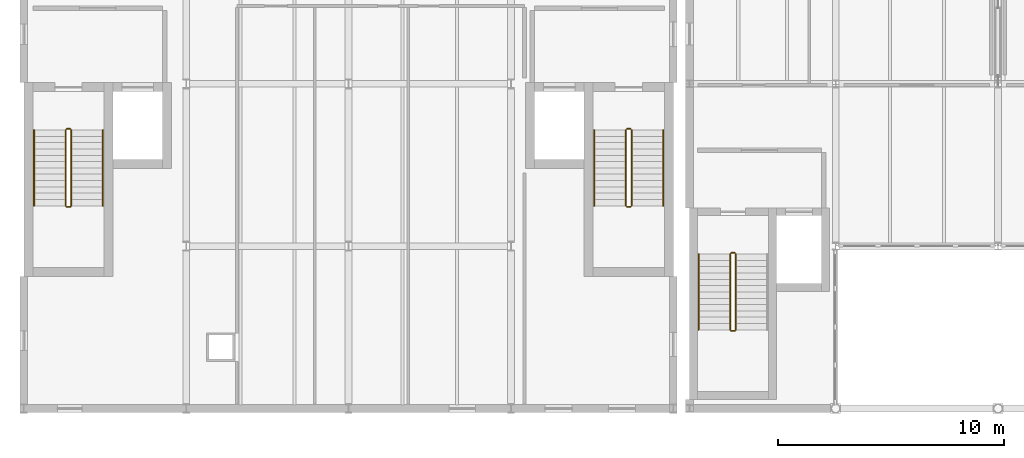
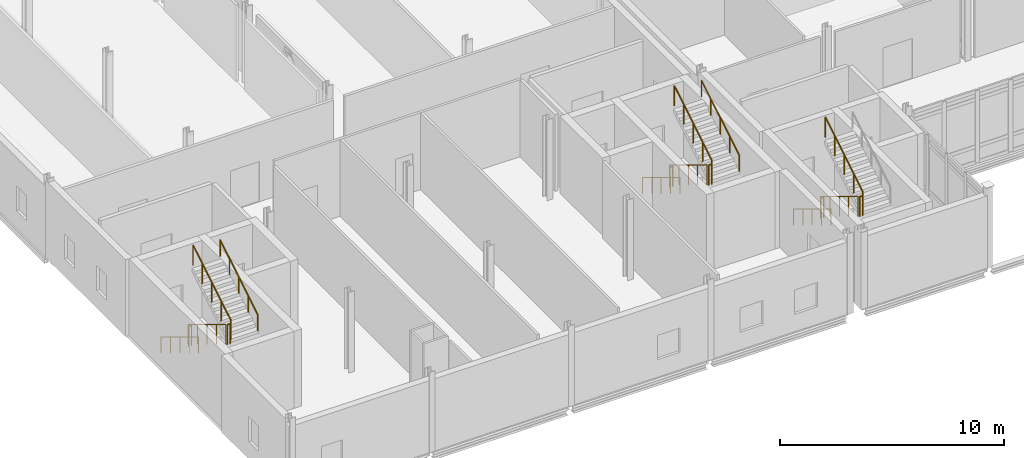
# One storey, part 45 of 53: 17 railings.
"""IFC4 building model written with IfcOpenShell, lengths in metres."""

import ifcopenshell
import ifcopenshell.guid

model = None  # the IFC model being written
_history = None  # IfcOwnerHistory: only IFC2X3 demands one
_inside = {}  # id of a spatial element -> (the spatial element, [elements in it])
_under = {}  # id of a project, library or spatial element -> (it, [spatial elements below it])
_declared = {}  # id of a project -> (the project, [libraries it declares])
_typed = {}  # id of a type object -> (the type object, [elements of that type])
_made_of = {}  # id of a material, layer set ... -> (it, [elements and type objects made of it])


def new_model(schema):
    """Start an empty IFC model of exactly this schema.

    Asked for "IFC4X3", IfcOpenShell would pick the latest addendum, in which some entities
    have other attributes; the version numbers below select the first issue.
    IFC2X3 requires an IfcOwnerHistory on every rooted entity: one is made here for all.
    """
    global model, _history
    if schema == "IFC4X3":
        model = ifcopenshell.file(schema_version=(4, 3, 0, 0))
    else:
        model = ifcopenshell.file(schema=schema)
    _inside.clear()
    _under.clear()
    _declared.clear()
    _typed.clear()
    _made_of.clear()
    _history = None
    if model.schema == "IFC2X3":
        org = make("IfcOrganization", Name="unknown")
        user = make(
            "IfcPersonAndOrganization",
            ThePerson=make("IfcPerson", FamilyName="unknown"),
            TheOrganization=org,
        )
        app = make(
            "IfcApplication",
            ApplicationDeveloper=org,
            Version="unknown",
            ApplicationFullName="unknown",
            ApplicationIdentifier="unknown",
        )
        _history = make(
            "IfcOwnerHistory",
            OwningUser=user,
            OwningApplication=app,
            ChangeAction="ADDED",
            CreationDate=0,
        )
    return model


def make(cls, **values):
    """One entity of the class cls with the attributes given. An attribute that is None is left unset."""
    return model.create_entity(
        cls, **{name: value for name, value in values.items() if value is not None}
    )


def rooted(cls, **values):
    """An entity with a GlobalId (a new one), such as an element, a storey or a relation."""
    return make(cls, GlobalId=ifcopenshell.guid.new(), OwnerHistory=_history, **values)


def si_unit(unit_type, name, prefix=None):
    """IfcSIUnit, for example si_unit("LENGTHUNIT", "METRE", prefix="MILLI")."""
    return make("IfcSIUnit", UnitType=unit_type, Prefix=prefix, Name=name)


def assignment(units):
    """IfcUnitAssignment: the units of a project."""
    return None if units is None else make("IfcUnitAssignment", Units=units)


def point(xyz):
    """IfcCartesianPoint."""
    return None if xyz is None else make("IfcCartesianPoint", Coordinates=xyz)


def direction(xyz):
    """IfcDirection."""
    return None if xyz is None else make("IfcDirection", DirectionRatios=xyz)


def frame(location, z_axis=None, x_axis=None):
    """IfcAxis2Placement3D, a coordinate frame: its origin and axes. An axis left out is left unset."""
    return make(
        "IfcAxis2Placement3D",
        Location=point(location),
        Axis=direction(z_axis),
        RefDirection=direction(x_axis),
    )


def frame_2d(location, x_axis=None):
    """IfcAxis2Placement2D, a coordinate frame in the plane: its origin and x axis."""
    return make(
        "IfcAxis2Placement2D", Location=point(location), RefDirection=direction(x_axis)
    )


def origin():
    """The frame at (0, 0, 0) with its axes left unset."""
    return frame((0.0, 0.0, 0.0))


def origin_2d():
    """The frame at (0, 0) in the plane with its x axis left unset."""
    return frame_2d((0.0, 0.0))


def place(relative_to, where):
    """IfcLocalPlacement: puts the frame where relative to a parent placement (None: the world)."""
    return make(
        "IfcLocalPlacement", PlacementRelTo=relative_to, RelativePlacement=where
    )


def context(
    kind, dimensions, precision=None, world=None, true_north=None, identifier=None
):
    """IfcGeometricRepresentationContext, for example the 3D "Model" context."""
    return make(
        "IfcGeometricRepresentationContext",
        ContextIdentifier=identifier,
        ContextType=kind,
        CoordinateSpaceDimension=dimensions,
        Precision=precision,
        WorldCoordinateSystem=world,
        TrueNorth=true_north,
    )


def subcontext(parent, identifier, kind, view, scale=None):
    """IfcGeometricRepresentationSubContext, for example "Body" below "Model"."""
    return make(
        "IfcGeometricRepresentationSubContext",
        ContextIdentifier=identifier,
        ContextType=kind,
        ParentContext=parent,
        TargetScale=scale,
        TargetView=view,
    )


def project(units=None, contexts=None):
    """IfcProject with its units and contexts."""
    return rooted(
        "IfcProject",
        Name="project",
        RepresentationContexts=contexts,
        UnitsInContext=assignment(units),
    )


def spatial(cls, under=None, at=None, **own):
    """A site, building, storey or space (cls), placed at a placement, below another one or the project."""
    s = rooted(cls, ObjectPlacement=at, **own)
    if under is not None:
        _under.setdefault(under.id(), (under, []))[1].append(s)
    return s


def profile(cls, at=None, kind="AREA", **sizes):
    """A parametric profile (cls). Its sizes go by their IFC names, for example OverallWidth=200.0."""
    return make(cls, ProfileType=kind, Position=at, **sizes)


def circle(**sizes):
    """IfcCircleProfileDef."""
    return profile("IfcCircleProfileDef", **sizes)


def extrude(swept, where, along, depth):
    """IfcExtrudedAreaSolid: the profile swept, set in the frame where, extruded along a direction by depth."""
    return make(
        "IfcExtrudedAreaSolid",
        SweptArea=swept,
        Position=where,
        ExtrudedDirection=direction(along),
        Depth=depth,
    )


def shape(context_of_items, identifier, shape_type, items):
    """IfcShapeRepresentation: the items that make up one representation, for example the "Body"."""
    return make(
        "IfcShapeRepresentation",
        ContextOfItems=context_of_items,
        RepresentationIdentifier=identifier,
        RepresentationType=shape_type,
        Items=items,
    )


def material(Name=None, Category=None):
    """IfcMaterial."""
    return make("IfcMaterial", Name=Name, Category=Category)


def layer(
    of_material, thickness, ventilated=None, Name=None, Category=None, Priority=None
):
    """IfcMaterialLayer: one layer of a wall or slab, of a material (None: an air gap)."""
    return make(
        "IfcMaterialLayer",
        Material=of_material,
        LayerThickness=thickness,
        IsVentilated=ventilated,
        Name=Name,
        Category=Category,
        Priority=Priority,
    )


def layer_set(layers, Name=None):
    """IfcMaterialLayerSet."""
    return make("IfcMaterialLayerSet", MaterialLayers=layers, LayerSetName=Name)


def made_of(thing, what):
    """Note that an element or type object is made of a material, layer set ...; save() writes the relation."""
    if what is not None:
        _made_of.setdefault(what.id(), (what, []))[1].append(thing)
    return thing


def type_object(cls, material=None, **own):
    """A type object (cls), such as IfcWallType, which elements share."""
    return made_of(rooted(cls, **own), material)


def element(
    cls,
    number,
    at=None,
    inside=None,
    cuts=None,
    type_object=None,
    material=None,
    context=None,
    identifier="Body",
    shape_type=None,
    held_by="IfcProductDefinitionShape",
    body=None,
    shapes=None,
    **own,
):
    """One element of the class cls, such as IfcWall. Its Tag is "e" and its number.

    at: its placement. inside: the storey or other place that contains it. cuts: it is an
    opening in that element (IfcRelVoidsElement). A single representation is given by context,
    identifier, shape_type and body (its items); several are given by shapes. held_by: the class
    of the entity that holds the representations. save() writes the other relations.
    """
    e = rooted(cls, Tag="e%d" % number, ObjectPlacement=at, **own)
    if body is not None:
        shapes = [shape(context, identifier, shape_type, body)]
    if shapes is not None:
        e.Representation = make(held_by, Representations=shapes)
    if inside is not None:
        _inside.setdefault(inside.id(), (inside, []))[1].append(e)
    if cuts is not None:
        rooted(
            "IfcRelVoidsElement", RelatingBuildingElement=cuts, RelatedOpeningElement=e
        )
    if type_object is not None:
        _typed.setdefault(type_object.id(), (type_object, []))[1].append(e)
    return made_of(e, material)


def aggregate(whole, parts):
    """IfcRelAggregates: a whole, such as a stair, and the parts it consists of."""
    return rooted("IfcRelAggregates", RelatingObject=whole, RelatedObjects=parts)


def save(model, path):
    """Write the relations noted so far, then the file.

    IfcRelAggregates (storeys below a building ...), IfcRelContainedInSpatialStructure (elements
    in a storey), IfcRelDefinesByType, IfcRelAssociatesMaterial and IfcRelDeclares: one each for
    every whole, place, type object, material and project.
    """
    for whole, parts in _under.values():
        aggregate(whole, parts)
    for where, things in _inside.values():
        rooted(
            "IfcRelContainedInSpatialStructure",
            RelatedElements=things,
            RelatingStructure=where,
        )
    for kind, things in _typed.values():
        rooted("IfcRelDefinesByType", RelatedObjects=things, RelatingType=kind)
    for what, things in _made_of.values():
        rooted("IfcRelAssociatesMaterial", RelatedObjects=things, RelatingMaterial=what)
    for by, libraries in _declared.values():
        rooted("IfcRelDeclares", RelatingContext=by, RelatedDefinitions=libraries)
    model.write(path)


model = new_model("IFC4")

# Units and contexts
model_context = context("Model", 3, precision=1e-05, world=origin(), true_north=direction((0.0, 1.0)))
body_context = subcontext(model_context, "Body", "Model", "MODEL_VIEW")
ifc_project = project(units=[si_unit("LENGTHUNIT", "METRE"), si_unit("AREAUNIT", "SQUARE_METRE"), si_unit("VOLUMEUNIT", "CUBIC_METRE"), si_unit("PLANEANGLEUNIT", "RADIAN"), si_unit("MASSUNIT", "GRAM", prefix="KILO")], contexts=[model_context])

# Site, building, storey
site_placement = place(None, origin())
site = spatial("IfcSite", under=ifc_project, at=site_placement, CompositionType="ELEMENT")
building_placement = place(site_placement, origin())
building = spatial("IfcBuilding", under=site, at=building_placement, Name="Zarrinpeak Specialist Clinic", CompositionType="ELEMENT")
storey_placement = place(building_placement, frame((0.0, 0.0, 14.0)))
storey = spatial("IfcBuildingStorey", under=building, at=storey_placement, Name="L03", CompositionType="ELEMENT", Elevation=14.0)

# Railings
ifc_material_1 = material(Name="Laminated Safety Glass and Stainless Steel 316", Category="steel")
ifc_layer_1 = layer(ifc_material_1, 0.06005859375)
ifc_layer_set_1 = layer_set([ifc_layer_1], Name="Laminated Safety Glass and Stainless Steel 316")
railing_type_1 = type_object("IfcRailingType", Name="RL-GRD115", PredefinedType="GUARDRAIL", material=ifc_layer_set_1)
railing_1_placement = place(storey_placement, frame((1.85009765625, 12.35009765625, 0.169189453125)))
element("IfcRailing", 1, at=railing_1_placement, inside=storey, type_object=railing_type_1, Name="L03 ST-01 stair guard 1", PredefinedType="GUARDRAIL", context=body_context, shape_type="SweptSolid", body=[
    extrude(circle(Radius=0.02392578125, at=origin_2d()), frame((0.0, 0.0, 1.076171875), z_axis=(0.0, -0.855836976705, 0.517245656632), x_axis=(1.0, 0.0, 0.0)), (0.0, 0.0, 1.0), 3.926025390625),
    extrude(circle(Radius=0.02099609375, at=origin_2d()), origin(), (0.0, 0.0, 1.0), 1.052001953125),
    extrude(circle(Radius=0.02099609375, at=origin_2d()), frame((0.0, -0.840087890625, 0.5078125)), (0.0, 0.0, 1.0), 1.052001953125),
    extrude(circle(Radius=0.02099609375, at=origin_2d()), frame((0.0, -1.68017578125, 1.015380859375)), (0.0, 0.0, 1.0), 1.052001953125),
    extrude(circle(Radius=0.02099609375, at=origin_2d()), frame((0.0, -2.52001953125, 1.52294921875)), (0.0, 0.0, 1.0), 1.052001953125),
    extrude(circle(Radius=0.02099609375, at=origin_2d()), frame((0.0, -3.360107421875, 2.03076171875)), (0.0, 0.0, 1.0), 1.052001953125),
])
railing_2_placement = place(storey_placement, frame((1.89990234375, 8.93994140625, 2.199951171875)))
element("IfcRailing", 2, at=railing_2_placement, inside=storey, type_object=railing_type_1, Name="L03 ST-01 stair guard 2", PredefinedType="GUARDRAIL", context=body_context, shape_type="SweptSolid", body=[
    extrude(circle(Radius=0.02392578125, at=origin_2d()), frame((0.0, 0.0, 1.076171875), z_axis=(1.0, 0.0, 0.0), x_axis=(0.0, 1.0, 0.0)), (0.0, 0.0, 1.0), 0.150146484375),
    extrude(circle(Radius=0.02099609375, at=origin_2d()), origin(), (0.0, 0.0, 1.0), 1.052001953125),
    extrude(circle(Radius=0.02099609375, at=origin_2d()), frame((0.150146484375, 0.0, 0.0)), (0.0, 0.0, 1.0), 1.052001953125),
])
railing_3_placement = place(storey_placement, frame((2.10009765625, 8.989990234375, 2.369140625)))
element("IfcRailing", 3, at=railing_3_placement, inside=storey, type_object=railing_type_1, Name="L03 ST-01 stair guard 3", PredefinedType="GUARDRAIL", context=body_context, shape_type="SweptSolid", body=[
    extrude(circle(Radius=0.02392578125, at=origin_2d()), frame((0.0, 0.0, 1.076171875), z_axis=(0.0, 0.855836976705, 0.517245656632), x_axis=(-1.0, 0.0, 0.0)), (0.0, 0.0, 1.0), 3.926025390625),
    extrude(circle(Radius=0.02099609375, at=origin_2d()), origin(), (0.0, 0.0, 1.0), 1.052001953125),
    extrude(circle(Radius=0.02099609375, at=origin_2d()), frame((0.0, 0.840087890625, 0.5078125)), (0.0, 0.0, 1.0), 1.052001953125),
    extrude(circle(Radius=0.02099609375, at=origin_2d()), frame((0.0, 1.68017578125, 1.015380859375)), (0.0, 0.0, 1.0), 1.052001953125),
    extrude(circle(Radius=0.02099609375, at=origin_2d()), frame((0.0, 2.52001953125, 1.52294921875)), (0.0, 0.0, 1.0), 1.052001953125),
    extrude(circle(Radius=0.02099609375, at=origin_2d()), frame((0.0, 3.360107421875, 2.03076171875)), (0.0, 0.0, 1.0), 1.052001953125),
])
railing_4_placement = place(storey_placement, frame((1.89990234375, 12.39990234375, 0.0)))
element("IfcRailing", 4, at=railing_4_placement, inside=storey, type_object=railing_type_1, Name="L03 ST-01 stair guard 4", PredefinedType="GUARDRAIL", context=body_context, shape_type="SweptSolid", body=[
    extrude(circle(Radius=0.02392578125, at=origin_2d()), frame((0.0, 0.0, 1.076171875), z_axis=(1.0, 0.0, 0.0), x_axis=(0.0, 1.0, 0.0)), (0.0, 0.0, 1.0), 0.150146484375),
    extrude(circle(Radius=0.02099609375, at=origin_2d()), origin(), (0.0, 0.0, 1.0), 1.052001953125),
    extrude(circle(Radius=0.02099609375, at=origin_2d()), frame((0.150146484375, 0.0, 0.0)), (0.0, 0.0, 1.0), 1.052001953125),
])
railing_5_placement = place(storey_placement, frame((26.699951171875, 12.35009765625, 0.169189453125)))
element("IfcRailing", 5, at=railing_5_placement, inside=storey, type_object=railing_type_1, Name="L03 ST-02 stair guard 1", PredefinedType="GUARDRAIL", context=body_context, shape_type="SweptSolid", body=[
    extrude(circle(Radius=0.02392578125, at=origin_2d()), frame((0.0, 0.0, 1.076171875), z_axis=(0.0, -0.855836976705, 0.517245656632), x_axis=(1.0, 0.0, 0.0)), (0.0, 0.0, 1.0), 3.926025390625),
    extrude(circle(Radius=0.02099609375, at=origin_2d()), origin(), (0.0, 0.0, 1.0), 1.052001953125),
    extrude(circle(Radius=0.02099609375, at=origin_2d()), frame((0.0, -0.840087890625, 0.5078125)), (0.0, 0.0, 1.0), 1.052001953125),
    extrude(circle(Radius=0.02099609375, at=origin_2d()), frame((0.0, -1.68017578125, 1.015380859375)), (0.0, 0.0, 1.0), 1.052001953125),
    extrude(circle(Radius=0.02099609375, at=origin_2d()), frame((0.0, -2.52001953125, 1.52294921875)), (0.0, 0.0, 1.0), 1.052001953125),
    extrude(circle(Radius=0.02099609375, at=origin_2d()), frame((0.0, -3.360107421875, 2.03076171875)), (0.0, 0.0, 1.0), 1.052001953125),
])
railing_6_placement = place(storey_placement, frame((26.75, 8.93994140625, 2.199951171875)))
element("IfcRailing", 6, at=railing_6_placement, inside=storey, type_object=railing_type_1, Name="L03 ST-02 stair guard 2", PredefinedType="GUARDRAIL", context=body_context, shape_type="SweptSolid", body=[
    extrude(circle(Radius=0.02392578125, at=origin_2d()), frame((0.0, 0.0, 1.076171875), z_axis=(1.0, 0.0, 0.0), x_axis=(0.0, 1.0, 0.0)), (0.0, 0.0, 1.0), 0.14990234375),
    extrude(circle(Radius=0.02099609375, at=origin_2d()), origin(), (0.0, 0.0, 1.0), 1.052001953125),
    extrude(circle(Radius=0.02099609375, at=origin_2d()), frame((0.14990234375, 0.0, 0.0)), (0.0, 0.0, 1.0), 1.052001953125),
])
railing_7_placement = place(storey_placement, frame((26.949951171875, 8.989990234375, 2.369140625)))
element("IfcRailing", 7, at=railing_7_placement, inside=storey, type_object=railing_type_1, Name="L03 ST-02 stair guard 3", PredefinedType="GUARDRAIL", context=body_context, shape_type="SweptSolid", body=[
    extrude(circle(Radius=0.02392578125, at=origin_2d()), frame((0.0, 0.0, 1.076171875), z_axis=(0.0, 0.855836976705, 0.517245656632), x_axis=(-1.0, 0.0, 0.0)), (0.0, 0.0, 1.0), 3.926025390625),
    extrude(circle(Radius=0.02099609375, at=origin_2d()), origin(), (0.0, 0.0, 1.0), 1.052001953125),
    extrude(circle(Radius=0.02099609375, at=origin_2d()), frame((0.0, 0.840087890625, 0.5078125)), (0.0, 0.0, 1.0), 1.052001953125),
    extrude(circle(Radius=0.02099609375, at=origin_2d()), frame((0.0, 1.68017578125, 1.015380859375)), (0.0, 0.0, 1.0), 1.052001953125),
    extrude(circle(Radius=0.02099609375, at=origin_2d()), frame((0.0, 2.52001953125, 1.52294921875)), (0.0, 0.0, 1.0), 1.052001953125),
    extrude(circle(Radius=0.02099609375, at=origin_2d()), frame((0.0, 3.360107421875, 2.03076171875)), (0.0, 0.0, 1.0), 1.052001953125),
])
railing_8_placement = place(storey_placement, frame((26.75, 12.39990234375, 0.0)))
element("IfcRailing", 8, at=railing_8_placement, inside=storey, type_object=railing_type_1, Name="L03 ST-02 stair guard 4", PredefinedType="GUARDRAIL", context=body_context, shape_type="SweptSolid", body=[
    extrude(circle(Radius=0.02392578125, at=origin_2d()), frame((0.0, 0.0, 1.076171875), z_axis=(1.0, 0.0, 0.0), x_axis=(0.0, 1.0, 0.0)), (0.0, 0.0, 1.0), 0.14990234375),
    extrude(circle(Radius=0.02099609375, at=origin_2d()), origin(), (0.0, 0.0, 1.0), 1.052001953125),
    extrude(circle(Radius=0.02099609375, at=origin_2d()), frame((0.14990234375, 0.0, 0.0)), (0.0, 0.0, 1.0), 1.052001953125),
])
railing_9_placement = place(storey_placement, frame((31.320068359375, 6.85009765625, 0.169189453125)))
element("IfcRailing", 9, at=railing_9_placement, inside=storey, type_object=railing_type_1, Name="L03 ST-03 stair guard 1", PredefinedType="GUARDRAIL", context=body_context, shape_type="SweptSolid", body=[
    extrude(circle(Radius=0.02392578125, at=origin_2d()), frame((0.0, 0.0, 1.076171875), z_axis=(0.0, -0.855836976705, 0.517245656632), x_axis=(1.0, 0.0, 0.0)), (0.0, 0.0, 1.0), 3.926025390625),
    extrude(circle(Radius=0.02099609375, at=origin_2d()), origin(), (0.0, 0.0, 1.0), 1.052001953125),
    extrude(circle(Radius=0.02099609375, at=origin_2d()), frame((0.0, -0.840087890625, 0.5078125)), (0.0, 0.0, 1.0), 1.052001953125),
    extrude(circle(Radius=0.02099609375, at=origin_2d()), frame((0.0, -1.68017578125, 1.015380859375)), (0.0, 0.0, 1.0), 1.052001953125),
    extrude(circle(Radius=0.02099609375, at=origin_2d()), frame((0.0, -2.52001953125, 1.52294921875)), (0.0, 0.0, 1.0), 1.052001953125),
    extrude(circle(Radius=0.02099609375, at=origin_2d()), frame((0.0, -3.360107421875, 2.03076171875)), (0.0, 0.0, 1.0), 1.052001953125),
])
railing_10_placement = place(storey_placement, frame((31.3701171875, 3.43994140625, 2.199951171875)))
element("IfcRailing", 10, at=railing_10_placement, inside=storey, type_object=railing_type_1, Name="L03 ST-03 stair guard 2", PredefinedType="GUARDRAIL", context=body_context, shape_type="SweptSolid", body=[
    extrude(circle(Radius=0.02392578125, at=origin_2d()), frame((0.0, 0.0, 1.076171875), z_axis=(1.0, 0.0, 0.0), x_axis=(0.0, 1.0, 0.0)), (0.0, 0.0, 1.0), 0.14990234375),
    extrude(circle(Radius=0.02099609375, at=origin_2d()), origin(), (0.0, 0.0, 1.0), 1.052001953125),
    extrude(circle(Radius=0.02099609375, at=origin_2d()), frame((0.14990234375, 0.0, 0.0)), (0.0, 0.0, 1.0), 1.052001953125),
])
railing_11_placement = place(storey_placement, frame((31.570068359375, 3.489990234375, 2.369140625)))
element("IfcRailing", 11, at=railing_11_placement, inside=storey, type_object=railing_type_1, Name="L03 ST-03 stair guard 3", PredefinedType="GUARDRAIL", context=body_context, shape_type="SweptSolid", body=[
    extrude(circle(Radius=0.02392578125, at=origin_2d()), frame((0.0, 0.0, 1.076171875), z_axis=(0.0, 0.855836976705, 0.517245656632), x_axis=(-1.0, 0.0, 0.0)), (0.0, 0.0, 1.0), 3.926025390625),
    extrude(circle(Radius=0.02099609375, at=origin_2d()), origin(), (0.0, 0.0, 1.0), 1.052001953125),
    extrude(circle(Radius=0.02099609375, at=origin_2d()), frame((0.0, 0.840087890625, 0.5078125)), (0.0, 0.0, 1.0), 1.052001953125),
    extrude(circle(Radius=0.02099609375, at=origin_2d()), frame((0.0, 1.68017578125, 1.015380859375)), (0.0, 0.0, 1.0), 1.052001953125),
    extrude(circle(Radius=0.02099609375, at=origin_2d()), frame((0.0, 2.52001953125, 1.52294921875)), (0.0, 0.0, 1.0), 1.052001953125),
    extrude(circle(Radius=0.02099609375, at=origin_2d()), frame((0.0, 3.360107421875, 2.03076171875)), (0.0, 0.0, 1.0), 1.052001953125),
])
railing_12_placement = place(storey_placement, frame((31.3701171875, 6.89990234375, 0.0)))
element("IfcRailing", 12, at=railing_12_placement, inside=storey, type_object=railing_type_1, Name="L03 ST-03 stair guard 4", PredefinedType="GUARDRAIL", context=body_context, shape_type="SweptSolid", body=[
    extrude(circle(Radius=0.02392578125, at=origin_2d()), frame((0.0, 0.0, 1.076171875), z_axis=(1.0, 0.0, 0.0), x_axis=(0.0, 1.0, 0.0)), (0.0, 0.0, 1.0), 0.14990234375),
    extrude(circle(Radius=0.02099609375, at=origin_2d()), origin(), (0.0, 0.0, 1.0), 1.052001953125),
    extrude(circle(Radius=0.02099609375, at=origin_2d()), frame((0.14990234375, 0.0, 0.0)), (0.0, 0.0, 1.0), 1.052001953125),
])
ifc_material_2 = material(Name="Brushed Stainless Steel 316 Handrail", Category="steel")
ifc_layer_2 = layer(ifc_material_2, 0.050048828125)
ifc_layer_set_2 = layer_set([ifc_layer_2], Name="Brushed Stainless Steel 316 Handrail")
railing_type_2 = type_object("IfcRailingType", Name="RL-HND92", PredefinedType="HANDRAIL", material=ifc_layer_set_2)
railing_13_placement = place(storey_placement, frame((0.449951171875, 12.35009765625, 0.169189453125)))
element("IfcRailing", 13, at=railing_13_placement, inside=storey, type_object=railing_type_2, Name="L03 ST-01 stair handrail 1", PredefinedType="HANDRAIL", context=body_context, shape_type="SweptSolid", body=[
    extrude(circle(Radius=0.02392578125, at=origin_2d()), frame((0.0, 0.0, 0.8759765625), z_axis=(0.0, -0.855836976705, 0.517245656632), x_axis=(1.0, 0.0, 0.0)), (0.0, 0.0, 1.0), 3.926025390625),
    extrude(circle(Radius=0.02099609375, at=origin_2d()), origin(), (0.0, 0.0, 1.0), 0.851806640625),
    extrude(circle(Radius=0.02099609375, at=origin_2d()), frame((0.0, -0.840087890625, 0.5078125)), (0.0, 0.0, 1.0), 0.851806640625),
    extrude(circle(Radius=0.02099609375, at=origin_2d()), frame((0.0, -1.68017578125, 1.015380859375)), (0.0, 0.0, 1.0), 0.851806640625),
    extrude(circle(Radius=0.02099609375, at=origin_2d()), frame((0.0, -2.52001953125, 1.52294921875)), (0.0, 0.0, 1.0), 0.851806640625),
    extrude(circle(Radius=0.02099609375, at=origin_2d()), frame((0.0, -3.360107421875, 2.03076171875)), (0.0, 0.0, 1.0), 0.851806640625),
])
railing_14_placement = place(storey_placement, frame((3.5, 8.989990234375, 2.369140625)))
element("IfcRailing", 14, at=railing_14_placement, inside=storey, type_object=railing_type_2, Name="L03 ST-01 stair handrail 2", PredefinedType="HANDRAIL", context=body_context, shape_type="SweptSolid", body=[
    extrude(circle(Radius=0.02392578125, at=origin_2d()), frame((0.0, 0.0, 0.8759765625), z_axis=(0.0, 0.855836976705, 0.517245656632), x_axis=(-1.0, 0.0, 0.0)), (0.0, 0.0, 1.0), 3.926025390625),
    extrude(circle(Radius=0.02099609375, at=origin_2d()), origin(), (0.0, 0.0, 1.0), 0.851806640625),
    extrude(circle(Radius=0.02099609375, at=origin_2d()), frame((0.0, 0.840087890625, 0.5078125)), (0.0, 0.0, 1.0), 0.851806640625),
    extrude(circle(Radius=0.02099609375, at=origin_2d()), frame((0.0, 1.68017578125, 1.015380859375)), (0.0, 0.0, 1.0), 0.851806640625),
    extrude(circle(Radius=0.02099609375, at=origin_2d()), frame((0.0, 2.52001953125, 1.52294921875)), (0.0, 0.0, 1.0), 0.851806640625),
    extrude(circle(Radius=0.02099609375, at=origin_2d()), frame((0.0, 3.360107421875, 2.03076171875)), (0.0, 0.0, 1.0), 0.851806640625),
])
railing_15_placement = place(storey_placement, frame((25.300048828125, 12.35009765625, 0.169189453125)))
element("IfcRailing", 15, at=railing_15_placement, inside=storey, type_object=railing_type_2, Name="L03 ST-02 stair handrail 1", PredefinedType="HANDRAIL", context=body_context, shape_type="SweptSolid", body=[
    extrude(circle(Radius=0.02392578125, at=origin_2d()), frame((0.0, 0.0, 0.8759765625), z_axis=(0.0, -0.855836976705, 0.517245656632), x_axis=(1.0, 0.0, 0.0)), (0.0, 0.0, 1.0), 3.926025390625),
    extrude(circle(Radius=0.02099609375, at=origin_2d()), origin(), (0.0, 0.0, 1.0), 0.851806640625),
    extrude(circle(Radius=0.02099609375, at=origin_2d()), frame((0.0, -0.840087890625, 0.5078125)), (0.0, 0.0, 1.0), 0.851806640625),
    extrude(circle(Radius=0.02099609375, at=origin_2d()), frame((0.0, -1.68017578125, 1.015380859375)), (0.0, 0.0, 1.0), 0.851806640625),
    extrude(circle(Radius=0.02099609375, at=origin_2d()), frame((0.0, -2.52001953125, 1.52294921875)), (0.0, 0.0, 1.0), 0.851806640625),
    extrude(circle(Radius=0.02099609375, at=origin_2d()), frame((0.0, -3.360107421875, 2.03076171875)), (0.0, 0.0, 1.0), 0.851806640625),
])
railing_16_placement = place(storey_placement, frame((28.35009765625, 8.989990234375, 2.369140625)))
element("IfcRailing", 16, at=railing_16_placement, inside=storey, type_object=railing_type_2, Name="L03 ST-02 stair handrail 2", PredefinedType="HANDRAIL", context=body_context, shape_type="SweptSolid", body=[
    extrude(circle(Radius=0.02392578125, at=origin_2d()), frame((0.0, 0.0, 0.8759765625), z_axis=(0.0, 0.855836976705, 0.517245656632), x_axis=(-1.0, 0.0, 0.0)), (0.0, 0.0, 1.0), 3.926025390625),
    extrude(circle(Radius=0.02099609375, at=origin_2d()), origin(), (0.0, 0.0, 1.0), 0.851806640625),
    extrude(circle(Radius=0.02099609375, at=origin_2d()), frame((0.0, 0.840087890625, 0.5078125)), (0.0, 0.0, 1.0), 0.851806640625),
    extrude(circle(Radius=0.02099609375, at=origin_2d()), frame((0.0, 1.68017578125, 1.015380859375)), (0.0, 0.0, 1.0), 0.851806640625),
    extrude(circle(Radius=0.02099609375, at=origin_2d()), frame((0.0, 2.52001953125, 1.52294921875)), (0.0, 0.0, 1.0), 0.851806640625),
    extrude(circle(Radius=0.02099609375, at=origin_2d()), frame((0.0, 3.360107421875, 2.03076171875)), (0.0, 0.0, 1.0), 0.851806640625),
])
railing_17_placement = place(storey_placement, frame((29.919921875, 6.85009765625, 0.169189453125)))
element("IfcRailing", 17, at=railing_17_placement, inside=storey, type_object=railing_type_2, Name="L03 ST-03 stair handrail 1", PredefinedType="HANDRAIL", context=body_context, shape_type="SweptSolid", body=[
    extrude(circle(Radius=0.02392578125, at=origin_2d()), frame((0.0, 0.0, 0.8759765625), z_axis=(0.0, -0.855836976705, 0.517245656632), x_axis=(1.0, 0.0, 0.0)), (0.0, 0.0, 1.0), 3.926025390625),
    extrude(circle(Radius=0.02099609375, at=origin_2d()), origin(), (0.0, 0.0, 1.0), 0.851806640625),
    extrude(circle(Radius=0.02099609375, at=origin_2d()), frame((0.0, -0.840087890625, 0.5078125)), (0.0, 0.0, 1.0), 0.851806640625),
    extrude(circle(Radius=0.02099609375, at=origin_2d()), frame((0.0, -1.68017578125, 1.015380859375)), (0.0, 0.0, 1.0), 0.851806640625),
    extrude(circle(Radius=0.02099609375, at=origin_2d()), frame((0.0, -2.52001953125, 1.52294921875)), (0.0, 0.0, 1.0), 0.851806640625),
    extrude(circle(Radius=0.02099609375, at=origin_2d()), frame((0.0, -3.360107421875, 2.03076171875)), (0.0, 0.0, 1.0), 0.851806640625),
])

save(model, "model.ifc")
